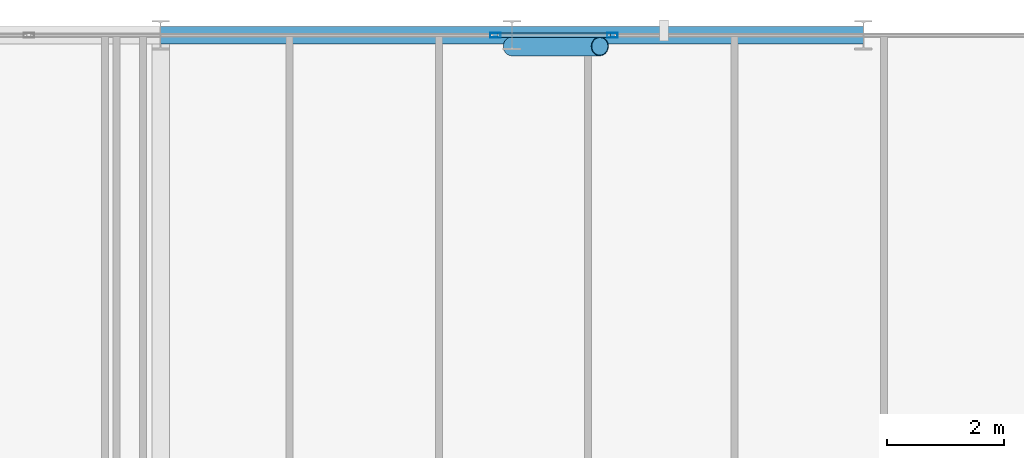
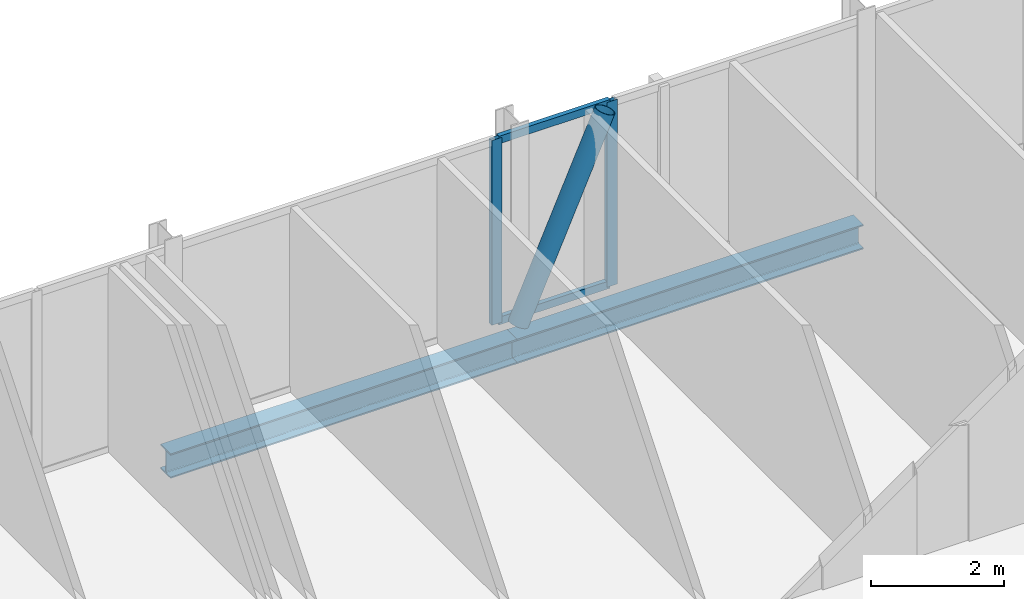
# One storey, part 20 of 31: 5 members, 2 beams, 2 elements without a shape of their own.
"""IFC4 building model written with IfcOpenShell, lengths in metres."""

from ifc_helpers import new_model, si_unit, direction, frame, origin, origin_2d, place, context, subcontext, project, spatial, hollow_rectangle, hollow_circle, i_section, extrude, material, layer, layer_set, material_profile, profile_set, type_object, element, aggregate, save


model = new_model("IFC4")

# Units and contexts
model_context = context("Model", 3, precision=1e-05, world=origin(), true_north=direction((0.0, 1.0)))
body_context = subcontext(model_context, "Body", "Model", "MODEL_VIEW")
ifc_project = project(units=[si_unit("LENGTHUNIT", "METRE"), si_unit("AREAUNIT", "SQUARE_METRE"), si_unit("VOLUMEUNIT", "CUBIC_METRE"), si_unit("PLANEANGLEUNIT", "RADIAN"), si_unit("MASSUNIT", "GRAM", prefix="KILO")], contexts=[model_context])

# Site, building, storey
site_placement = place(None, origin())
site = spatial("IfcSite", under=ifc_project, at=site_placement, CompositionType="ELEMENT")
building_placement = place(site_placement, origin())
building = spatial("IfcBuilding", under=site, at=building_placement, Name="Keshet Zoharim Tower", CompositionType="ELEMENT")
storey_placement = place(building_placement, frame((0.0, 0.0, 148.300048828125)))
storey = spatial("IfcBuildingStorey", under=building, at=storey_placement, Name="L36", CompositionType="ELEMENT", Elevation=148.300048828125)

# Beams
ifc_material_1 = material(Name="Steel S355", Category="steel")
ifc_material_profile_1 = material_profile(ifc_material_1, i_section(OverallWidth=0.300048828125, OverallDepth=0.449951171875, WebThickness=0.013916015625, FlangeThickness=0.02587890625, FilletRadius=0.027099609375, at=origin_2d()), Name="HEB450")
ifc_profile_set_1 = profile_set([ifc_material_profile_1], Name="Steel S355")
beam_type = type_object("IfcBeamType", Name="BM-WEB-HB450", PredefinedType="BEAM", material=ifc_profile_set_1)
for number, where, z_axis, x_axis, name in (
    (1, (33.0, 53.89990234375, -0.5400390625), (1.0, 0.0, 0.0), (0.0, 1.0, 0.0), "L36 Primary Girder X-022"),
    (2, (39.0, 53.89990234375, -0.5400390625), (1.0, 0.0, 0.0), (0.0, 1.0, 0.0), "L36 Primary Girder X-023"),
):
    element("IfcBeam", number, at=place(storey_placement, frame(where, z_axis=z_axis, x_axis=x_axis)), inside=storey, type_object=beam_type, Name=name, PredefinedType="BEAM", context=body_context, shape_type="SweptSolid", body=[
        extrude(i_section(OverallWidth=0.300048828125, OverallDepth=0.449951171875, WebThickness=0.013916015625, FlangeThickness=0.02587890625, FilletRadius=0.027099609375, at=origin_2d()), origin(), (0.0, 0.0, 1.0), 6.0),
    ])

# Curtain wall, member
ifc_material_2 = material(Name="Aluminium 6063-T6", Category="aluminium")
ifc_layer = layer(ifc_material_2, 0.159912109375)
ifc_layer_set = layer_set([ifc_layer], Name="Aluminium 6063-T6")
curtain_wall_type = type_object("IfcCurtainWallType", Name="CW-SYS-03", PredefinedType="NOTDEFINED", material=ifc_layer_set)
curtain_wall_1_placement = place(storey_placement, origin())
curtain_wall_1 = element("IfcCurtainWall", 3, at=curtain_wall_1_placement, inside=storey, type_object=curtain_wall_type, Name="L36 Unitised Curtain Wall 13 Part 3", PredefinedType="NOTDEFINED")
ifc_material_profile_2 = material_profile(ifc_material_2, hollow_rectangle(XDim=0.080078125, YDim=0.179931640625, WallThickness=0.00439453125, at=origin_2d()), Name="MUL-80x180")
ifc_profile_set_2 = profile_set([ifc_material_profile_2], Name="Aluminium 6063-T6")
member_type_1 = type_object("IfcMemberType", Name="CWM-M18", PredefinedType="MULLION", material=ifc_profile_set_2)
member_1_placement = place(storey_placement, frame((38.716796875, 53.89990234375, 0.0), z_axis=(0.0, 0.0, 1.0), x_axis=(0.0, 1.0, 0.0)))
member_1 = element("IfcMember", 4, at=member_1_placement, type_object=member_type_1, Name="CW-03 mullion 3", PredefinedType="MULLION", context=body_context, shape_type="SweptSolid", body=[
    extrude(hollow_rectangle(XDim=0.080078125, YDim=0.179931640625, WallThickness=0.00439453125, at=origin_2d()), origin(), (0.0, 0.0, 1.0), 3.385009765625),
])
aggregate(curtain_wall_1, [member_1])

# Curtain wall, members
curtain_wall_2_placement = place(storey_placement, origin())
curtain_wall_2 = element("IfcCurtainWall", 5, at=curtain_wall_2_placement, inside=storey, type_object=curtain_wall_type, Name="L36 Unitised Curtain Wall 13 Part 4", PredefinedType="NOTDEFINED")
member_2_placement = place(storey_placement, frame((40.713134765625, 53.89990234375, 0.0), z_axis=(0.0, 0.0, 1.0), x_axis=(0.0, 1.0, 0.0)))
member_2 = element("IfcMember", 6, at=member_2_placement, type_object=member_type_1, Name="CW-03 mullion 2", PredefinedType="MULLION", context=body_context, shape_type="SweptSolid", body=[
    extrude(hollow_rectangle(XDim=0.080078125, YDim=0.179931640625, WallThickness=0.00439453125, at=origin_2d()), origin(), (0.0, 0.0, 1.0), 3.385009765625),
])
ifc_material_profile_3 = material_profile(ifc_material_2, hollow_rectangle(XDim=0.080078125, YDim=0.139892578125, WallThickness=0.00390625, at=origin_2d()), Name="TRN-80x140")
ifc_profile_set_3 = profile_set([ifc_material_profile_3], Name="Aluminium 6063-T6")
member_type_2 = type_object("IfcMemberType", Name="CWT-T14", PredefinedType="USERDEFINED", material=ifc_profile_set_3)
member_3_placement = place(storey_placement, frame((38.751953125, 53.89990234375, 0.034912109375), z_axis=(1.0, 0.0, 0.0), x_axis=(0.0, 1.0, 0.0)))
member_3 = element("IfcMember", 7, at=member_3_placement, type_object=member_type_2, Name="CW-03 transom 1.1", ObjectType="TRANSOM", PredefinedType="USERDEFINED", context=body_context, shape_type="SweptSolid", body=[
    extrude(hollow_rectangle(XDim=0.080078125, YDim=0.139892578125, WallThickness=0.00390625, at=origin_2d()), origin(), (0.0, 0.0, 1.0), 1.926025390625),
])
member_4_placement = place(storey_placement, frame((38.751953125, 53.89990234375, 3.349853515625), z_axis=(1.0, 0.0, 0.0), x_axis=(0.0, 1.0, 0.0)))
member_4 = element("IfcMember", 8, at=member_4_placement, type_object=member_type_2, Name="CW-03 transom 1.2", ObjectType="TRANSOM", PredefinedType="USERDEFINED", context=body_context, shape_type="SweptSolid", body=[
    extrude(hollow_rectangle(XDim=0.080078125, YDim=0.139892578125, WallThickness=0.00390625, at=origin_2d()), origin(), (0.0, 0.0, 1.0), 1.926025390625),
])
aggregate(curtain_wall_2, [member_2, member_3, member_4])

# Member
ifc_material_profile_4 = material_profile(ifc_material_1, hollow_circle(Radius=0.161865234375, WallThickness=0.012451171875, at=origin_2d()), Name="CHS323x12.5")
ifc_profile_set_4 = profile_set([ifc_material_profile_4], Name="Steel S355")
member_type_3 = type_object("IfcMemberType", Name="MB-BR-C323", PredefinedType="BRACE", material=ifc_profile_set_4)
member_5_placement = place(storey_placement, frame((39.0, 53.7099609375, 0.0), z_axis=(0.405134846829, 0.0, 0.91425694194), x_axis=(0.0, 1.0, 0.0)))
element("IfcMember", 9, at=member_5_placement, inside=storey, type_object=member_type_3, Name="L36 Perimeter Tube Brace 04", PredefinedType="BRACE", context=body_context, shape_type="SweptSolid", body=[
    extrude(hollow_circle(Radius=0.161865234375, WallThickness=0.012451171875, at=origin_2d()), origin(), (0.0, 0.0, 1.0), 3.702392578125),
])

save(model, "model.ifc")
